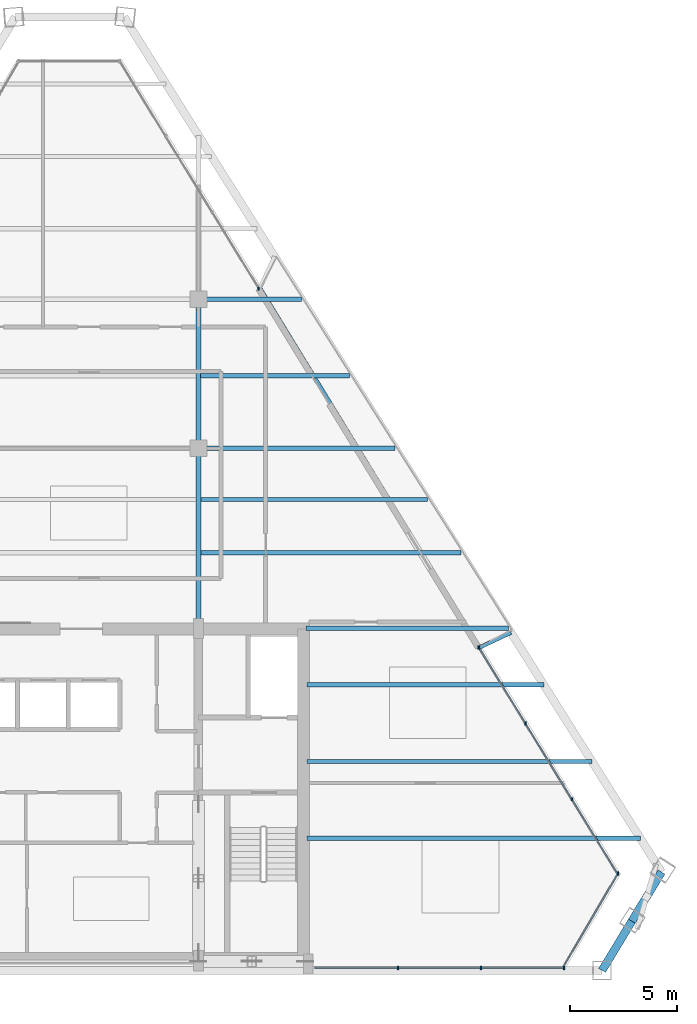
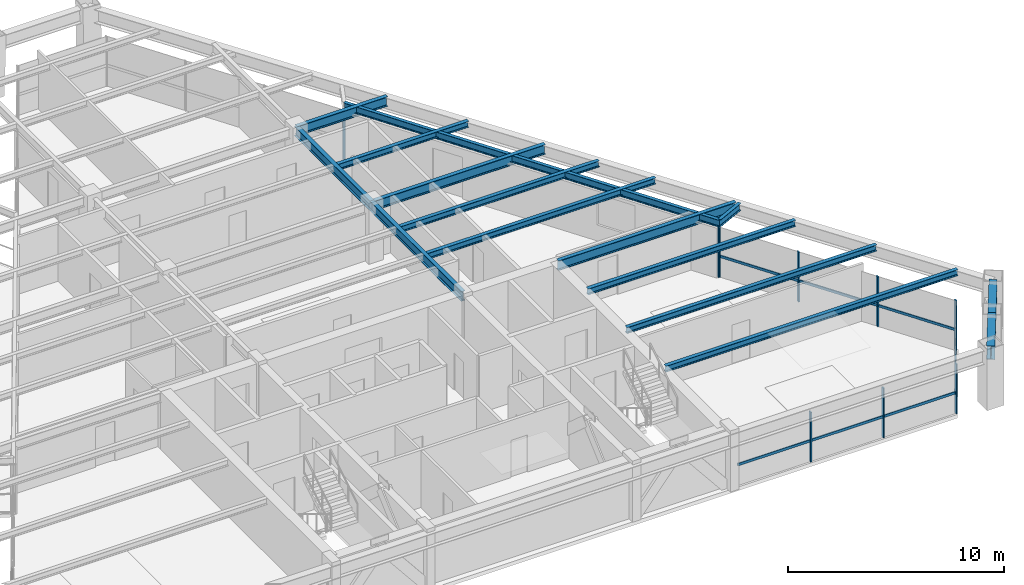
# One storey, part 5 of 13: 16 members, 15 beams, 4 elements without a shape of their own.
"""IFC4 building model written with IfcOpenShell, lengths in metres."""

from ifc_helpers import new_model, si_unit, direction, frame, origin, origin_2d, place, context, subcontext, project, spatial, rectangle, i_section, extrude, source, transform, mapped, material, material_profile, profile_set, type_object, type_shapes, element, aggregate, save


model = new_model("IFC4")

# Units and contexts
model_context = context("Model", 3, precision=1e-05, world=origin(), true_north=direction((0.0, 1.0)))
body_context = subcontext(model_context, "Body", "Model", "MODEL_VIEW")
ifc_project = project(units=[si_unit("LENGTHUNIT", "METRE"), si_unit("AREAUNIT", "SQUARE_METRE"), si_unit("VOLUMEUNIT", "CUBIC_METRE"), si_unit("PLANEANGLEUNIT", "RADIAN"), si_unit("MASSUNIT", "GRAM", prefix="KILO")], contexts=[model_context])

# Site, building, storey
site_placement = place(None, origin())
site = spatial("IfcSite", under=ifc_project, at=site_placement, CompositionType="ELEMENT")
building_placement = place(site_placement, origin())
building = spatial("IfcBuilding", under=site, at=building_placement, Name="Varnakhor Terracotta Tower", CompositionType="ELEMENT")
storey_placement = place(building_placement, frame((0.0, 0.0, 247.60009765625)))
storey = spatial("IfcBuildingStorey", under=building, at=storey_placement, Name="L64", CompositionType="ELEMENT", Elevation=247.60009765625)

# Beams
ifc_material_1 = material(Name="Steel S355", Category="steel")
ifc_material_profile_1 = material_profile(ifc_material_1, i_section(OverallWidth=0.214111328125, OverallDepth=0.549072265625, WebThickness=0.014892578125, FlangeThickness=0.02392578125, FilletRadius=0.01806640625, at=origin_2d()), Name="W21X93")
ifc_profile_set_1 = profile_set([ifc_material_profile_1], Name="Steel S355")
beam_type_1 = type_object("IfcBeamType", Name="BM-W21X93", PredefinedType="BEAM", material=ifc_profile_set_1)
shared_shape_1 = source(origin(), body_context, "Body", "SweptSolid", [
    extrude(i_section(OverallWidth=0.214111328125, OverallDepth=0.549072265625, WebThickness=0.014892578125, FlangeThickness=0.02392578125, FilletRadius=0.01806640625, at=origin_2d()), origin(), (0.0, 0.0, 1.0), 8.449951171875),
])
type_shapes(beam_type_1, [shared_shape_1])
beam_1_placement = place(storey_placement, frame((5.5, 16.050048828125, 2.96533203125), z_axis=(0.0, 1.0, 0.0), x_axis=(-1.0, 0.0, 0.0)))
element("IfcBeam", 1, at=beam_1_placement, inside=storey, type_object=beam_type_1, Name="L64 Primary Girder NS1-E", PredefinedType="BEAM", context=body_context, shape_type="MappedRepresentation", body=[
    mapped(shared_shape_1, transform((0.0, 0.0, 0.0), scale=1.0)),
])
shared_shape_2 = source(origin(), body_context, "Body", "SweptSolid", [
    extrude(i_section(OverallWidth=0.214111328125, OverallDepth=0.549072265625, WebThickness=0.014892578125, FlangeThickness=0.02392578125, FilletRadius=0.01806640625, at=origin_2d()), origin(), (0.0, 0.0, 1.0), 7.0),
])
beam_2_placement = place(storey_placement, frame((5.5, 24.5, 2.96533203125), z_axis=(0.0, 1.0, 0.0), x_axis=(-1.0, 0.0, 0.0)))
element("IfcBeam", 2, at=beam_2_placement, inside=storey, type_object=beam_type_1, Name="L64 Primary Girder NS2-E", PredefinedType="BEAM", context=body_context, shape_type="MappedRepresentation", body=[
    mapped(shared_shape_2, transform((0.0, 0.0, 0.0), scale=1.0)),
])
ifc_material_profile_2 = material_profile(ifc_material_1, i_section(OverallWidth=0.381103515625, OverallDepth=0.77294921875, WebThickness=0.01708984375, FlangeThickness=0.027099609375, FilletRadius=0.01806640625, at=origin_2d()), Name="W30X173")
ifc_profile_set_2 = profile_set([ifc_material_profile_2], Name="Steel S355")
beam_type_2 = type_object("IfcBeamType", Name="BM-W30X173", PredefinedType="BEAM", material=ifc_profile_set_2)
shared_shape_3 = source(origin(), body_context, "Body", "SweptSolid", [
    extrude(i_section(OverallWidth=0.381103515625, OverallDepth=0.77294921875, WebThickness=0.01708984375, FlangeThickness=0.027099609375, FilletRadius=0.01806640625, at=origin_2d()), origin(), (0.0, 0.0, 1.0), 2.695556640625),
])
for number, where, z_axis, x_axis, name in (
    (3, (24.441162109375, 0.0, 2.853515625), (0.517263544431, 0.855826165528, 0.0), (-0.855826165528, 0.517263544431, 0.0), "L64 Perimeter Spandrel 2"),
    (4, (25.83544921875, 2.306884765625, 2.853515625), (0.517263544431, 0.855826165528, 0.0), (-0.855826165528, 0.517263544431, 0.0), "L64 Perimeter Spandrel 3"),
):
    element("IfcBeam", number, at=place(storey_placement, frame(where, z_axis=z_axis, x_axis=x_axis)), inside=storey, type_object=beam_type_2, Name=name, PredefinedType="BEAM", context=body_context, shape_type="MappedRepresentation", body=[
        mapped(shared_shape_3, transform((0.0, 0.0, 0.0), scale=1.0)),
    ])
ifc_material_profile_3 = material_profile(ifc_material_1, i_section(OverallWidth=0.179931640625, OverallDepth=0.39990234375, WebThickness=0.008544921875, FlangeThickness=0.013427734375, FilletRadius=0.01806640625, at=origin_2d()), Name="IPE400")
ifc_profile_set_3 = profile_set([ifc_material_profile_3], Name="Steel S355")
beam_type_3 = type_object("IfcBeamType", Name="JST-IPE400", PredefinedType="JOIST", material=ifc_profile_set_3)
shared_shape_4 = source(origin(), body_context, "Body", "SweptSolid", [
    extrude(i_section(OverallWidth=0.179931640625, OverallDepth=0.39990234375, WebThickness=0.008544921875, FlangeThickness=0.013427734375, FilletRadius=0.01806640625, at=origin_2d()), origin(), (0.0, 0.0, 1.0), 19.77734375),
])
beam_3_placement = place(storey_placement, frame((18.68017578125, 15.1533203125, 3.039794921875), z_axis=(-0.521012529061, 0.853549028797, 0.0), x_axis=(-0.853549028797, -0.521012529061, 0.0)))
element("IfcBeam", 5, at=beam_3_placement, inside=storey, type_object=beam_type_3, Name="L64 Loggia Edge Beam 1", PredefinedType="JOIST", context=body_context, shape_type="MappedRepresentation", body=[
    mapped(shared_shape_4, transform((0.0, 0.0, 0.0), scale=1.0)),
])
shared_shape_5 = source(origin(), body_context, "Body", "SweptSolid", [
    extrude(i_section(OverallWidth=0.214111328125, OverallDepth=0.549072265625, WebThickness=0.014892578125, FlangeThickness=0.02392578125, FilletRadius=0.01806640625, at=origin_2d()), origin(), (0.0, 0.0, 1.0), 9.4912109375),
])
beam_4_placement = place(storey_placement, frame((10.550048828125, 16.050048828125, 2.96533203125), z_axis=(1.0, 0.0, 0.0), x_axis=(0.0, 1.0, 0.0)))
element("IfcBeam", 6, at=beam_4_placement, inside=storey, type_object=beam_type_1, Name="L64 Wing Girder E", PredefinedType="BEAM", context=body_context, shape_type="MappedRepresentation", body=[
    mapped(shared_shape_5, transform((0.0, 0.0, 0.0), scale=1.0)),
])
shared_shape_6 = source(origin(), body_context, "Body", "SweptSolid", [
    extrude(i_section(OverallWidth=0.214111328125, OverallDepth=0.549072265625, WebThickness=0.014892578125, FlangeThickness=0.02392578125, FilletRadius=0.01806640625, at=origin_2d()), origin(), (0.0, 0.0, 1.0), 9.22998046875),
])
beam_5_placement = place(storey_placement, frame((5.5, 24.5, 2.96533203125), z_axis=(1.0, 0.0, 0.0), x_axis=(0.0, 1.0, 0.0)))
element("IfcBeam", 7, at=beam_5_placement, inside=storey, type_object=beam_type_1, Name="L64 Primary Girder EW2-3", PredefinedType="BEAM", context=body_context, shape_type="MappedRepresentation", body=[
    mapped(shared_shape_6, transform((0.0, 0.0, 0.0), scale=1.0)),
])
shared_shape_7 = source(origin(), body_context, "Body", "SweptSolid", [
    extrude(i_section(OverallWidth=0.214111328125, OverallDepth=0.549072265625, WebThickness=0.014892578125, FlangeThickness=0.02392578125, FilletRadius=0.01806640625, at=origin_2d()), origin(), (0.0, 0.0, 1.0), 4.829833984375),
])
beam_6_placement = place(storey_placement, frame((5.5, 31.5, 2.96533203125), z_axis=(1.0, 0.0, 0.0), x_axis=(0.0, 1.0, 0.0)))
element("IfcBeam", 8, at=beam_6_placement, inside=storey, type_object=beam_type_1, Name="L64 Primary Girder EW3-3", PredefinedType="BEAM", context=body_context, shape_type="MappedRepresentation", body=[
    mapped(shared_shape_7, transform((0.0, 0.0, 0.0), scale=1.0)),
])
ifc_material_profile_4 = material_profile(ifc_material_1, i_section(OverallWidth=0.202880859375, OverallDepth=0.346923828125, WebThickness=0.0078125, FlangeThickness=0.013427734375, FilletRadius=0.01806640625, at=origin_2d()), Name="W14X43")
ifc_profile_set_4 = profile_set([ifc_material_profile_4], Name="Steel S355")
beam_type_4 = type_object("IfcBeamType", Name="JST-W14X43", PredefinedType="JOIST", material=ifc_profile_set_4)
shared_shape_8 = source(origin(), body_context, "Body", "SweptSolid", [
    extrude(i_section(OverallWidth=0.202880859375, OverallDepth=0.346923828125, WebThickness=0.0078125, FlangeThickness=0.013427734375, FilletRadius=0.01806640625, at=origin_2d()), origin(), (0.0, 0.0, 1.0), 15.6328125),
])
beam_7_placement = place(storey_placement, frame((10.60009765625, 6.199951171875, 3.06640625), z_axis=(1.0, 0.0, 0.0), x_axis=(0.0, 1.0, 0.0)))
element("IfcBeam", 9, at=beam_7_placement, inside=storey, type_object=beam_type_4, Name="L64 Floor Joist E1", PredefinedType="JOIST", context=body_context, shape_type="MappedRepresentation", body=[
    mapped(shared_shape_8, transform((0.0, 0.0, 0.0), scale=1.0)),
])
shared_shape_9 = source(origin(), body_context, "Body", "SweptSolid", [
    extrude(i_section(OverallWidth=0.202880859375, OverallDepth=0.346923828125, WebThickness=0.0078125, FlangeThickness=0.013427734375, FilletRadius=0.01806640625, at=origin_2d()), origin(), (0.0, 0.0, 1.0), 13.369873046875),
])
beam_8_placement = place(storey_placement, frame((10.60009765625, 9.800048828125, 3.06640625), z_axis=(1.0, 0.0, 0.0), x_axis=(0.0, 1.0, 0.0)))
element("IfcBeam", 10, at=beam_8_placement, inside=storey, type_object=beam_type_4, Name="L64 Floor Joist E2", PredefinedType="JOIST", context=body_context, shape_type="MappedRepresentation", body=[
    mapped(shared_shape_9, transform((0.0, 0.0, 0.0), scale=1.0)),
])
shared_shape_10 = source(origin(), body_context, "Body", "SweptSolid", [
    extrude(i_section(OverallWidth=0.202880859375, OverallDepth=0.346923828125, WebThickness=0.0078125, FlangeThickness=0.013427734375, FilletRadius=0.01806640625, at=origin_2d()), origin(), (0.0, 0.0, 1.0), 11.10693359375),
])
beam_9_placement = place(storey_placement, frame((10.60009765625, 13.39990234375, 3.06640625), z_axis=(1.0, 0.0, 0.0), x_axis=(0.0, 1.0, 0.0)))
element("IfcBeam", 11, at=beam_9_placement, inside=storey, type_object=beam_type_4, Name="L64 Floor Joist E3", PredefinedType="JOIST", context=body_context, shape_type="MappedRepresentation", body=[
    mapped(shared_shape_10, transform((0.0, 0.0, 0.0), scale=1.0)),
])
shared_shape_11 = source(origin(), body_context, "Body", "SweptSolid", [
    extrude(i_section(OverallWidth=0.202880859375, OverallDepth=0.346923828125, WebThickness=0.0078125, FlangeThickness=0.013427734375, FilletRadius=0.01806640625, at=origin_2d()), origin(), (0.0, 0.0, 1.0), 12.206787109375),
])
beam_10_placement = place(storey_placement, frame((5.60302734375, 19.60009765625, 3.06640625), z_axis=(1.0, 0.0, 0.0), x_axis=(0.0, 1.0, 0.0)))
element("IfcBeam", 12, at=beam_10_placement, inside=storey, type_object=beam_type_4, Name="L64 Composite Floor Joist 4-3", PredefinedType="JOIST", context=body_context, shape_type="MappedRepresentation", body=[
    mapped(shared_shape_11, transform((0.0, 0.0, 0.0), scale=1.0)),
])
shared_shape_12 = source(origin(), body_context, "Body", "SweptSolid", [
    extrude(i_section(OverallWidth=0.202880859375, OverallDepth=0.346923828125, WebThickness=0.0078125, FlangeThickness=0.013427734375, FilletRadius=0.01806640625, at=origin_2d()), origin(), (0.0, 0.0, 1.0), 10.635498046875),
])
beam_11_placement = place(storey_placement, frame((5.60302734375, 22.10009765625, 3.06640625), z_axis=(1.0, 0.0, 0.0), x_axis=(0.0, 1.0, 0.0)))
element("IfcBeam", 13, at=beam_11_placement, inside=storey, type_object=beam_type_4, Name="L64 Composite Floor Joist 5-3", PredefinedType="JOIST", context=body_context, shape_type="MappedRepresentation", body=[
    mapped(shared_shape_12, transform((0.0, 0.0, 0.0), scale=1.0)),
])
shared_shape_13 = source(origin(), body_context, "Body", "SweptSolid", [
    extrude(i_section(OverallWidth=0.202880859375, OverallDepth=0.346923828125, WebThickness=0.0078125, FlangeThickness=0.013427734375, FilletRadius=0.01806640625, at=origin_2d()), origin(), (0.0, 0.0, 1.0), 6.98974609375),
])
beam_12_placement = place(storey_placement, frame((5.60302734375, 27.89990234375, 3.06640625), z_axis=(1.0, 0.0, 0.0), x_axis=(0.0, 1.0, 0.0)))
element("IfcBeam", 14, at=beam_12_placement, inside=storey, type_object=beam_type_4, Name="L64 Composite Floor Joist 6-3", PredefinedType="JOIST", context=body_context, shape_type="MappedRepresentation", body=[
    mapped(shared_shape_13, transform((0.0, 0.0, 0.0), scale=1.0)),
])

# Curtain wall, members
ifc_material_2 = material(Name="Anodised Aluminium Curtain Wall System", Category="aluminium")
curtain_wall_type = type_object("IfcCurtainWallType", Name="CW-SYS-HOTEL-LOGGIA", PredefinedType="NOTDEFINED", material=ifc_material_2)
curtain_wall_1_placement = place(storey_placement, origin())
curtain_wall_1 = element("IfcCurtainWall", 15, at=curtain_wall_1_placement, inside=storey, type_object=curtain_wall_type, Name="L64 E Facet Curtain Wall 2", PredefinedType="NOTDEFINED")
ifc_material_3 = material(Name="Anodised Aluminium 6063-T6", Category="aluminium")
ifc_material_profile_5 = material_profile(ifc_material_3, rectangle(XDim=0.06494140625, YDim=0.159912109375, at=origin_2d()), Name="ALU MULLION 65x160")
ifc_profile_set_5 = profile_set([ifc_material_profile_5], Name="Anodised Aluminium 6063-T6")
member_type_1 = type_object("IfcMemberType", Name="CWM-04", PredefinedType="MULLION", material=ifc_profile_set_5)
shared_shape_14 = source(origin(), body_context, "Body", "SweptSolid", [
    extrude(rectangle(XDim=0.06494140625, YDim=0.159912109375, at=origin_2d()), origin(), (0.0, 0.0, 1.0), 2.81982421875),
])
member_1_placement = place(storey_placement, frame((18.666748046875, 15.1416015625, 0.0), z_axis=(0.0, 0.0, 1.0), x_axis=(1.0, 0.0, 0.0)))
member_1 = element("IfcMember", 16, at=member_1_placement, type_object=member_type_1, Name="L64 E Facet Curtain Wall 2 Mullion 1", PredefinedType="MULLION", context=body_context, shape_type="MappedRepresentation", body=[
    mapped(shared_shape_14, transform((0.0, 0.0, 0.0), scale=1.0)),
])
member_2_placement = place(storey_placement, frame((20.84326171875, 11.587890625, 0.0), z_axis=(0.0, 0.0, 1.0), x_axis=(1.0, 0.0, 0.0)))
member_2 = element("IfcMember", 17, at=member_2_placement, type_object=member_type_1, Name="L64 E Facet Curtain Wall 2 Mullion 2", PredefinedType="MULLION", context=body_context, shape_type="MappedRepresentation", body=[
    mapped(shared_shape_14, transform((0.0, 0.0, 0.0), scale=1.0)),
])
member_3_placement = place(storey_placement, frame((23.019775390625, 8.034423828125, 0.0), z_axis=(0.0, 0.0, 1.0), x_axis=(1.0, 0.0, 0.0)))
member_3 = element("IfcMember", 18, at=member_3_placement, type_object=member_type_1, Name="L64 E Facet Curtain Wall 2 Mullion 3", PredefinedType="MULLION", context=body_context, shape_type="MappedRepresentation", body=[
    mapped(shared_shape_14, transform((0.0, 0.0, 0.0), scale=1.0)),
])

# Curtain wall, member
curtain_wall_2_placement = place(storey_placement, origin())
curtain_wall_2 = element("IfcCurtainWall", 19, at=curtain_wall_2_placement, inside=storey, type_object=curtain_wall_type, Name="L64 E Facet Curtain Wall 1", PredefinedType="NOTDEFINED")
member_4_placement = place(storey_placement, frame((8.323974609375, 31.989501953125, 0.0), z_axis=(0.0, 0.0, 1.0), x_axis=(1.0, 0.0, 0.0)))
member_4 = element("IfcMember", 20, at=member_4_placement, type_object=member_type_1, Name="L64 E Loggia Jamb Closure Mullion 1", PredefinedType="MULLION", context=body_context, shape_type="MappedRepresentation", body=[
    mapped(shared_shape_14, transform((0.0, 0.0, 0.0), scale=1.0)),
])
aggregate(curtain_wall_2, [member_4])

# Member
member_5_placement = place(storey_placement, frame((18.634033203125, 15.15673828125, 0.0), z_axis=(0.0, 0.0, 1.0), x_axis=(1.0, 0.0, 0.0)))
member_5 = element("IfcMember", 21, at=member_5_placement, type_object=member_type_1, Name="L64 E Loggia Jamb Closure Mullion 2", PredefinedType="MULLION", context=body_context, shape_type="MappedRepresentation", body=[
    mapped(shared_shape_14, transform((0.0, 0.0, 0.0), scale=1.0)),
])

# Curtain wall, member
curtain_wall_3_placement = place(storey_placement, origin())
curtain_wall_3 = element("IfcCurtainWall", 22, at=curtain_wall_3_placement, inside=storey, type_object=curtain_wall_type, Name="L64 Facet Curtain Wall 4", PredefinedType="NOTDEFINED")
member_6_placement = place(storey_placement, frame((25.195556640625, 4.552978515625, 0.0), z_axis=(0.0, 0.0, 1.0), x_axis=(1.0, 0.0, 0.0)))
member_6 = element("IfcMember", 23, at=member_6_placement, type_object=member_type_1, Name="L64 Facet Curtain Wall 4 Mullion 1", PredefinedType="MULLION", context=body_context, shape_type="MappedRepresentation", body=[
    mapped(shared_shape_14, transform((0.0, 0.0, 0.0), scale=1.0)),
])

# Curtain wall, members
curtain_wall_4_placement = place(storey_placement, origin())
curtain_wall_4 = element("IfcCurtainWall", 24, at=curtain_wall_4_placement, inside=storey, type_object=curtain_wall_type, Name="L64 South Wing Curtain Wall SSE", PredefinedType="NOTDEFINED")
member_7_placement = place(storey_placement, frame((22.65478515625, 0.1201171875, 0.0), z_axis=(0.0, 0.0, 1.0), x_axis=(1.0, 0.0, 0.0)))
member_7 = element("IfcMember", 25, at=member_7_placement, type_object=member_type_1, Name="L64 South Wing Curtain Wall SSE Mullion 1", PredefinedType="MULLION", context=body_context, shape_type="MappedRepresentation", body=[
    mapped(shared_shape_14, transform((0.0, 0.0, 0.0), scale=1.0)),
])
member_8_placement = place(storey_placement, frame((18.759765625, 0.1201171875, 0.0), z_axis=(0.0, 0.0, 1.0), x_axis=(1.0, 0.0, 0.0)))
member_8 = element("IfcMember", 26, at=member_8_placement, type_object=member_type_1, Name="L64 South Wing Curtain Wall SSE Mullion 2", PredefinedType="MULLION", context=body_context, shape_type="MappedRepresentation", body=[
    mapped(shared_shape_14, transform((0.0, 0.0, 0.0), scale=1.0)),
])
member_9_placement = place(storey_placement, frame((14.864990234375, 0.1201171875, 0.0), z_axis=(0.0, 0.0, 1.0), x_axis=(1.0, 0.0, 0.0)))
member_9 = element("IfcMember", 27, at=member_9_placement, type_object=member_type_1, Name="L64 South Wing Curtain Wall SSE Mullion 3", PredefinedType="MULLION", context=body_context, shape_type="MappedRepresentation", body=[
    mapped(shared_shape_14, transform((0.0, 0.0, 0.0), scale=1.0)),
])

# Member
ifc_material_profile_6 = material_profile(ifc_material_3, rectangle(XDim=0.06494140625, YDim=0.14501953125, at=origin_2d()), Name="ALU TRANSOM 65x145")
ifc_profile_set_6 = profile_set([ifc_material_profile_6], Name="Anodised Aluminium 6063-T6")
member_type_2 = type_object("IfcMemberType", Name="CWT-04", PredefinedType="USERDEFINED", material=ifc_profile_set_6)
shared_shape_15 = source(origin(), body_context, "Body", "SweptSolid", [
    extrude(rectangle(XDim=0.06494140625, YDim=0.14501953125, at=origin_2d()), origin(), (0.0, 0.0, 1.0), 4.1669921875),
])
member_10_placement = place(storey_placement, frame((20.84326171875, 11.587890625, 1.184326171875), z_axis=(0.522314741891, -0.852752783873, 0.0), x_axis=(0.852752783873, 0.522314741891, 0.0)))
member_10 = element("IfcMember", 28, at=member_10_placement, type_object=member_type_2, Name="L64 E Facet Curtain Wall 2 Transom 2", ObjectType="TRANSOM", PredefinedType="USERDEFINED", context=body_context, shape_type="MappedRepresentation", body=[
    mapped(shared_shape_15, transform((0.0, 0.0, 0.0), scale=1.0)),
])

member_11_placement = place(storey_placement, frame((23.019775390625, 8.034423828125, 1.184326171875), z_axis=(0.522314741891, -0.852752783873, 0.0), x_axis=(0.852752783873, 0.522314741891, 0.0)))
member_11 = element("IfcMember", 29, at=member_11_placement, type_object=member_type_2, Name="L64 E Facet Curtain Wall 2 Transom 3", ObjectType="TRANSOM", PredefinedType="USERDEFINED", context=body_context, shape_type="MappedRepresentation", body=[
    mapped(shared_shape_15, transform((0.0, 0.0, 0.0), scale=1.0)),
])

shared_shape_16 = source(origin(), body_context, "Body", "SweptSolid", [
    extrude(rectangle(XDim=0.06494140625, YDim=0.14501953125, at=origin_2d()), origin(), (0.0, 0.0, 1.0), 4.167236328125),
])
member_12_placement = place(storey_placement, frame((18.666748046875, 15.1416015625, 1.184326171875), z_axis=(0.522288647406, -0.852768766308, 0.0), x_axis=(0.852768766308, 0.522288647406, 0.0)))
member_12 = element("IfcMember", 30, at=member_12_placement, type_object=member_type_2, Name="L64 E Facet Curtain Wall 2 Transom 1", ObjectType="TRANSOM", PredefinedType="USERDEFINED", context=body_context, shape_type="MappedRepresentation", body=[
    mapped(shared_shape_16, transform((0.0, 0.0, 0.0), scale=1.0)),
])

aggregate(curtain_wall_1, [member_1, member_12, member_2, member_10, member_3, member_11, member_5])

shared_shape_17 = source(origin(), body_context, "Body", "SweptSolid", [
    extrude(rectangle(XDim=0.06494140625, YDim=0.14501953125, at=origin_2d()), origin(), (0.0, 0.0, 1.0), 5.177734375),
])
member_13_placement = place(storey_placement, frame((25.195556640625, 4.552978515625, 1.184326171875), z_axis=(-0.505857447085, -0.862617089576, 0.0), x_axis=(0.862617089576, -0.505857447085, 0.0)))
member_13 = element("IfcMember", 31, at=member_13_placement, type_object=member_type_2, Name="L64 Facet Curtain Wall 4 Transom 1", ObjectType="TRANSOM", PredefinedType="USERDEFINED", context=body_context, shape_type="MappedRepresentation", body=[
    mapped(shared_shape_17, transform((0.0, 0.0, 0.0), scale=1.0)),
])

aggregate(curtain_wall_3, [member_6, member_13])

shared_shape_18 = source(origin(), body_context, "Body", "SweptSolid", [
    extrude(rectangle(XDim=0.06494140625, YDim=0.14501953125, at=origin_2d()), origin(), (0.0, 0.0, 1.0), 3.89501953125),
])
member_14_placement = place(storey_placement, frame((22.65478515625, 0.1201171875, 1.184326171875), z_axis=(-1.0, 0.0, 0.0), x_axis=(0.0, -1.0, 0.0)))
member_14 = element("IfcMember", 32, at=member_14_placement, type_object=member_type_2, Name="L64 South Wing Curtain Wall SSE Transom 1", ObjectType="TRANSOM", PredefinedType="USERDEFINED", context=body_context, shape_type="MappedRepresentation", body=[
    mapped(shared_shape_18, transform((0.0, 0.0, 0.0), scale=1.0)),
])

member_15_placement = place(storey_placement, frame((14.864990234375, 0.1201171875, 1.184326171875), z_axis=(-1.0, 0.0, 0.0), x_axis=(0.0, -1.0, 0.0)))
member_15 = element("IfcMember", 33, at=member_15_placement, type_object=member_type_2, Name="L64 South Wing Curtain Wall SSE Transom 3", ObjectType="TRANSOM", PredefinedType="USERDEFINED", context=body_context, shape_type="MappedRepresentation", body=[
    mapped(shared_shape_18, transform((0.0, 0.0, 0.0), scale=1.0)),
])

shared_shape_19 = source(origin(), body_context, "Body", "SweptSolid", [
    extrude(rectangle(XDim=0.06494140625, YDim=0.14501953125, at=origin_2d()), origin(), (0.0, 0.0, 1.0), 3.894775390625),
])
member_16_placement = place(storey_placement, frame((18.759765625, 0.1201171875, 1.184326171875), z_axis=(-1.0, 0.0, 0.0), x_axis=(0.0, -1.0, 0.0)))
member_16 = element("IfcMember", 34, at=member_16_placement, type_object=member_type_2, Name="L64 South Wing Curtain Wall SSE Transom 2", ObjectType="TRANSOM", PredefinedType="USERDEFINED", context=body_context, shape_type="MappedRepresentation", body=[
    mapped(shared_shape_19, transform((0.0, 0.0, 0.0), scale=1.0)),
])

aggregate(curtain_wall_4, [member_7, member_14, member_8, member_16, member_9, member_15])

# Beam
shared_shape_20 = source(origin(), body_context, "Body", "SweptSolid", [
    extrude(i_section(OverallWidth=0.179931640625, OverallDepth=0.39990234375, WebThickness=0.008544921875, FlangeThickness=0.013427734375, FilletRadius=0.01806640625, at=origin_2d()), origin(), (0.0, 0.0, 1.0), 1.64208984375),
])
beam_13_placement = place(storey_placement, frame((18.68017578125, 15.1533203125, 3.039794921875), z_axis=(0.905357126365, 0.424651002283, 0.0), x_axis=(-0.424651002283, 0.905357126365, 0.0)))
element("IfcBeam", 35, at=beam_13_placement, inside=storey, type_object=beam_type_3, Name="L65 E Loggia Tie Beam 2", PredefinedType="JOIST", context=body_context, shape_type="MappedRepresentation", body=[
    mapped(shared_shape_20, transform((0.0, 0.0, 0.0), scale=1.0)),
])

save(model, "model.ifc")
